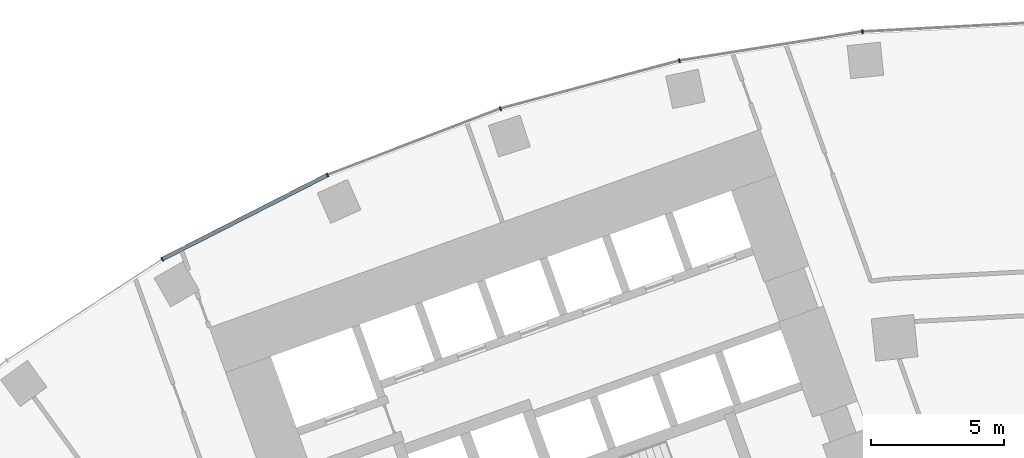
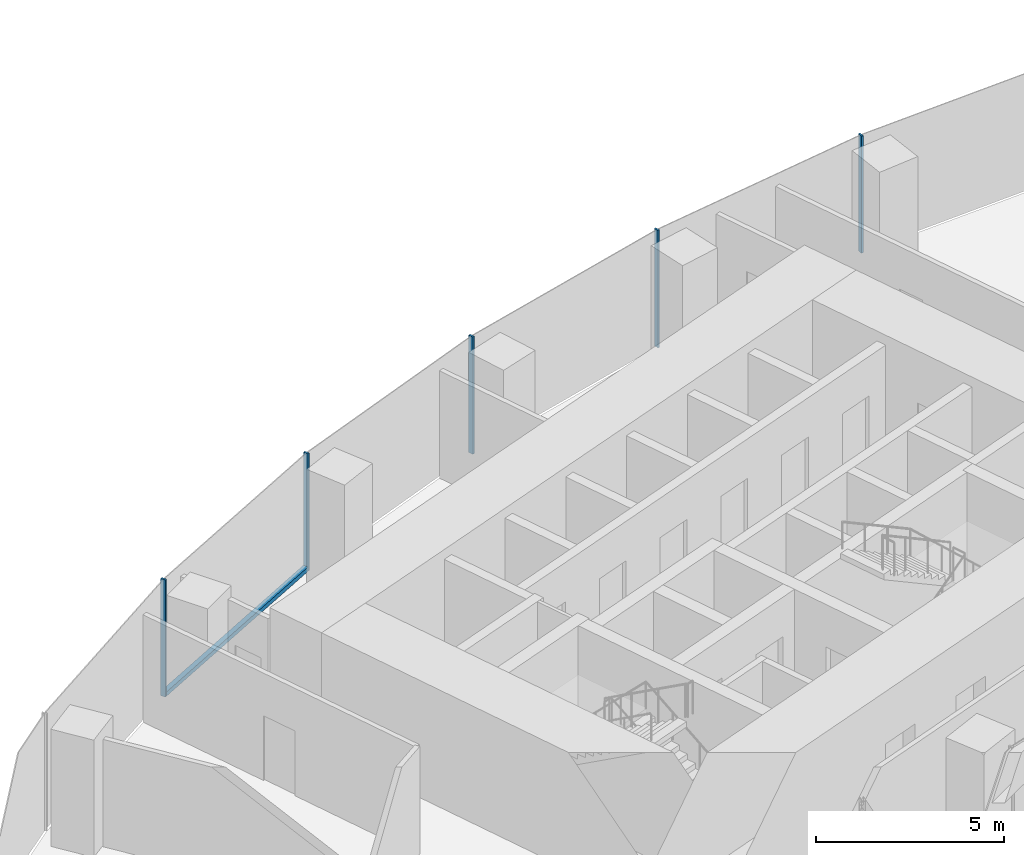
# One storey, part 6 of 21: 6 members, 1 element without a shape of its own.
"""IFC4 building model written with IfcOpenShell, lengths in metres."""

from ifc_helpers import new_model, si_unit, direction, frame, origin, origin_2d, place, context, subcontext, project, spatial, rectangle, extrude, material, layer, layer_set, material_profile, profile_set, type_object, element, aggregate, save


model = new_model("IFC4")

# Units and contexts
model_context = context("Model", 3, precision=1e-05, world=origin(), true_north=direction((0.0, 1.0)))
body_context = subcontext(model_context, "Body", "Model", "MODEL_VIEW")
ifc_project = project(units=[si_unit("LENGTHUNIT", "METRE"), si_unit("AREAUNIT", "SQUARE_METRE"), si_unit("VOLUMEUNIT", "CUBIC_METRE"), si_unit("PLANEANGLEUNIT", "RADIAN"), si_unit("MASSUNIT", "GRAM", prefix="KILO")], contexts=[model_context])

# Site, building, storey
site_placement = place(None, origin())
site = spatial("IfcSite", under=ifc_project, at=site_placement, CompositionType="ELEMENT")
building_placement = place(site_placement, origin())
building = spatial("IfcBuilding", under=site, at=building_placement, Name="Stone Belt Terrace Tower", CompositionType="ELEMENT")
storey_placement = place(building_placement, frame((0.0, 0.0, 60.39990234375)))
storey = spatial("IfcBuildingStorey", under=building, at=storey_placement, Name="L14", CompositionType="ELEMENT", Elevation=60.39990234375)

# Curtain wall, members
ifc_material = material(Name="Aluminium 6063-T6 anodised frame", Category="aluminium")
ifc_layer = layer(ifc_material, 0.14990234375)
ifc_layer_set = layer_set([ifc_layer], Name="CW-A unitised convex-face curtain wall")
curtain_wall_type = type_object("IfcCurtainWallType", Name="CW-A unitised convex-face curtain wall", PredefinedType="NOTDEFINED", material=ifc_layer_set)
curtain_wall_placement = place(storey_placement, origin())
curtain_wall = element("IfcCurtainWall", 1, at=curtain_wall_placement, inside=storey, type_object=curtain_wall_type, Name="CW-A convex face L14", PredefinedType="NOTDEFINED")
ifc_material_profile_1 = material_profile(ifc_material, rectangle(XDim=0.14990234375, YDim=0.06005859375, at=origin_2d()), Name="Aluminium 6063-T6 60x150")
ifc_profile_set_1 = profile_set([ifc_material_profile_1], Name="Aluminium 6063-T6 anodised frame")
member_type_1 = type_object("IfcMemberType", Name="CW-A mullion 60 x 150", PredefinedType="MULLION", material=ifc_profile_set_1)
member_1_placement = place(storey_placement, frame((-6.958984375, 66.21044921875, 0.0), z_axis=(0.0, 0.0, 1.0), x_axis=(0.104528463268, -0.994521895368, 0.0)))
member_1 = element("IfcMember", 2, at=member_1_placement, type_object=member_type_1, Name="CW-A mullion 10", PredefinedType="MULLION", context=body_context, shape_type="SweptSolid", body=[
    extrude(rectangle(XDim=0.14990234375, YDim=0.06005859375, at=origin_2d()), origin(), (0.0, 0.0, 1.0), 3.800048828125),
])
member_2_placement = place(storey_placement, frame((-13.841796875, 65.120361328125, 0.0), z_axis=(0.0, 0.0, 1.0), x_axis=(0.207911690818, -0.978147600734, 0.0)))
member_2 = element("IfcMember", 3, at=member_2_placement, type_object=member_type_1, Name="CW-A mullion 11", PredefinedType="MULLION", context=body_context, shape_type="SweptSolid", body=[
    extrude(rectangle(XDim=0.14990234375, YDim=0.06005859375, at=origin_2d()), origin(), (0.0, 0.0, 1.0), 3.800048828125),
])
member_3_placement = place(storey_placement, frame((-20.57275390625, 63.316650390625, 0.0), z_axis=(0.0, 0.0, 1.0), x_axis=(0.309016994375, -0.951056516295, 0.0)))
member_3 = element("IfcMember", 4, at=member_3_placement, type_object=member_type_1, Name="CW-A mullion 12", PredefinedType="MULLION", context=body_context, shape_type="SweptSolid", body=[
    extrude(rectangle(XDim=0.14990234375, YDim=0.06005859375, at=origin_2d()), origin(), (0.0, 0.0, 1.0), 3.800048828125),
])
member_4_placement = place(storey_placement, frame((-27.07861328125, 60.8193359375, 0.0), z_axis=(0.0, 0.0, 1.0), x_axis=(0.406736643076, -0.913545457643, 0.0)))
member_4 = element("IfcMember", 5, at=member_4_placement, type_object=member_type_1, Name="CW-A mullion 13", PredefinedType="MULLION", context=body_context, shape_type="SweptSolid", body=[
    extrude(rectangle(XDim=0.14990234375, YDim=0.06005859375, at=origin_2d()), origin(), (0.0, 0.0, 1.0), 3.800048828125),
])
member_5_placement = place(storey_placement, frame((-33.28759765625, 57.65576171875, 0.0), z_axis=(0.0, 0.0, 1.0), x_axis=(0.5, -0.866025403784, 0.0)))
member_5 = element("IfcMember", 6, at=member_5_placement, type_object=member_type_1, Name="CW-A mullion 14", PredefinedType="MULLION", context=body_context, shape_type="SweptSolid", body=[
    extrude(rectangle(XDim=0.14990234375, YDim=0.06005859375, at=origin_2d()), origin(), (0.0, 0.0, 1.0), 3.800048828125),
])
ifc_material_profile_2 = material_profile(ifc_material, rectangle(XDim=0.14990234375, YDim=0.139892578125, at=origin_2d()), Name="Aluminium 6063-T6 150x140")
ifc_profile_set_2 = profile_set([ifc_material_profile_2], Name="Aluminium 6063-T6 anodised frame")
member_type_2 = type_object("IfcMemberType", Name="CW-A transom 140 x 150", PredefinedType="USERDEFINED", material=ifc_profile_set_2)
member_6_placement = place(storey_placement, frame((-27.108642578125, 60.803955078125, 0.070068359375), z_axis=(-0.891012226264, -0.453979308613, 0.0), x_axis=(0.453979308613, -0.891012226264, 0.0)))
member_6 = element("IfcMember", 7, at=member_6_placement, type_object=member_type_2, Name="CW-A transom 13.1", ObjectType="TRANSOM", PredefinedType="USERDEFINED", context=body_context, shape_type="SweptSolid", body=[
    extrude(rectangle(XDim=0.14990234375, YDim=0.139892578125, at=origin_2d()), origin(), (0.0, 0.0, 1.0), 6.90087890625),
])
aggregate(curtain_wall, [member_1, member_2, member_3, member_4, member_5, member_6])

save(model, "model.ifc")
